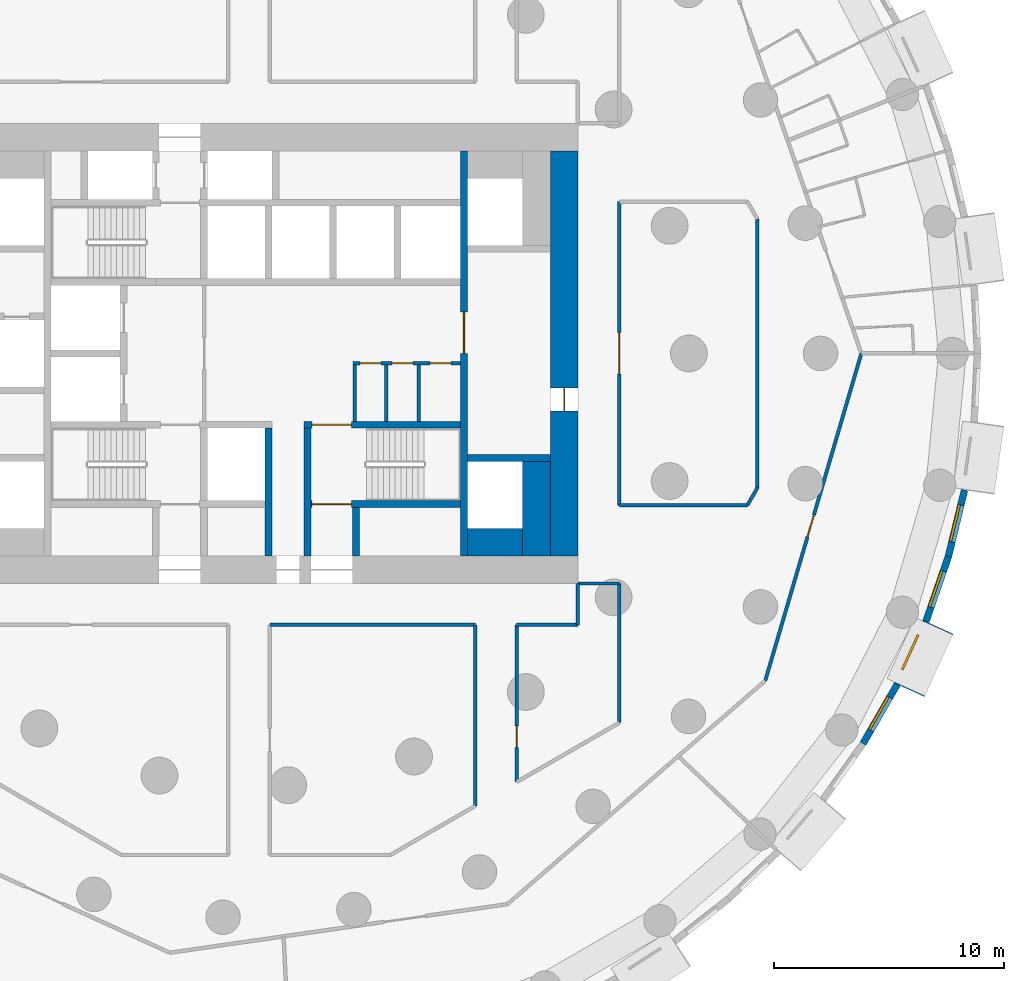
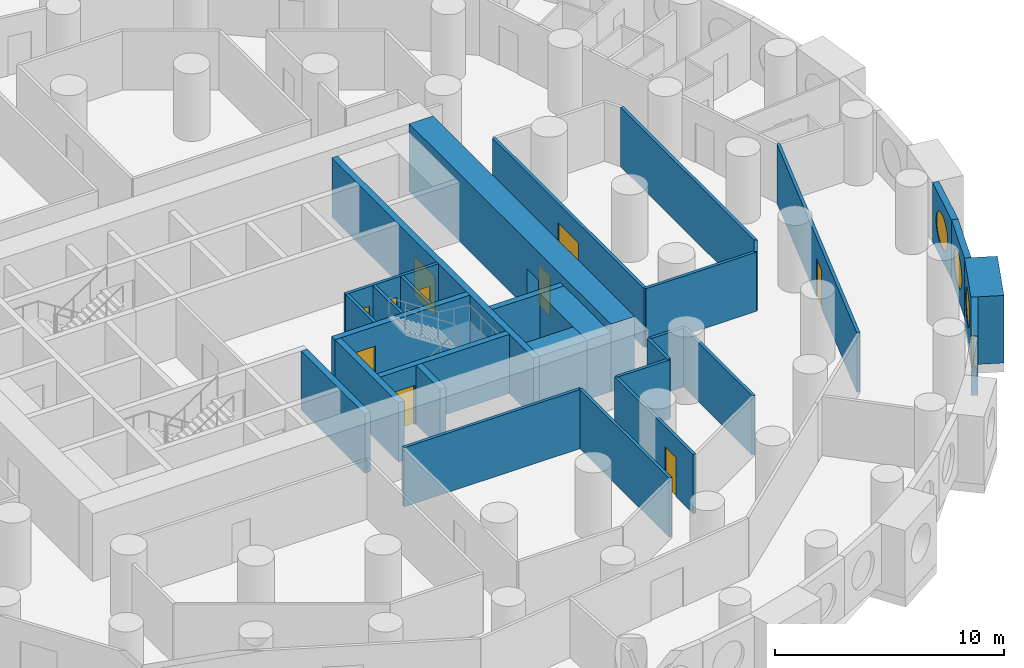
# One storey, part 5 of 12: 30 walls, 10 doors, 4 windows, 14 openings.
"""IFC4 building model written with IfcOpenShell, lengths in metres."""

from ifc_helpers import new_model, si_unit, direction, frame, frame_2d, origin, origin_2d, place, context, subcontext, project, spatial, rectangle, circle, extrude, material, layer, layer_set, type_object, element, fill, save


model = new_model("IFC4")

# Units and contexts
model_context = context("Model", 3, precision=1e-05, world=origin(), true_north=direction((0.0, 1.0)))
body_context = subcontext(model_context, "Body", "Model", "MODEL_VIEW")
ifc_project = project(units=[si_unit("LENGTHUNIT", "METRE"), si_unit("AREAUNIT", "SQUARE_METRE"), si_unit("VOLUMEUNIT", "CUBIC_METRE"), si_unit("PLANEANGLEUNIT", "RADIAN"), si_unit("MASSUNIT", "GRAM", prefix="KILO")], contexts=[model_context])

# Site, building, storey
site_placement = place(None, origin())
site = spatial("IfcSite", under=ifc_project, at=site_placement, CompositionType="ELEMENT")
building_placement = place(site_placement, origin())
building = spatial("IfcBuilding", under=site, at=building_placement, Name="Tracery Tower", CompositionType="ELEMENT")
storey_placement = place(building_placement, frame((0.0, 0.0, 46.199951171875)))
storey = spatial("IfcBuildingStorey", under=building, at=storey_placement, Name="L10", CompositionType="ELEMENT", Elevation=46.199951171875)

# Wall
ifc_material_1 = material(Name="Plasterboard on steel studs", Category="steel")
ifc_layer_1 = layer(ifc_material_1, 0.14990234375)
ifc_layer_set_1 = layer_set([ifc_layer_1], Name="Core room partition 150")
wall_type_1 = type_object("IfcWallType", Name="Core room partition 150", PredefinedType="SOLIDWALL", material=ifc_layer_set_1)
wall_1_placement = place(storey_placement, frame((4.300048828125, -2.949951171875, 0.0), z_axis=(0.0, 0.0, 1.0), x_axis=(0.0, 1.0, 0.0)))
element("IfcWall", 1, at=wall_1_placement, inside=storey, type_object=wall_type_1, Name="L10 slot W", PredefinedType="SOLIDWALL", context=body_context, shape_type="SweptSolid", body=[
    extrude(rectangle(XDim=2.449951171875, YDim=0.14990234375, at=frame_2d((1.22509765625, 0.0))), origin(), (0.0, 0.0, 1.0), 3.150146484375),
])

# Wall, openings, doors
wall_2_placement = place(storey_placement, frame((4.22509765625, -0.425048828125, 0.0), z_axis=(0.0, 0.0, 1.0), x_axis=(1.0, 0.0, 0.0)))
wall_2 = element("IfcWall", 2, at=wall_2_placement, inside=storey, type_object=wall_type_1, Name="L10 slot N", PredefinedType="SOLIDWALL", context=body_context, shape_type="SweptSolid", body=[
    extrude(rectangle(XDim=4.6748046875, YDim=0.14990234375, at=frame_2d((2.33740234375, 0.0))), origin(), (0.0, 0.0, 1.0), 3.150146484375),
])
opening_1_placement = place(wall_2_placement, frame((0.3125, 0.0, 0.0)))
opening_1 = element("IfcOpeningElement", 3, at=opening_1_placement, cuts=wall_2, Name="Opening KD32", PredefinedType="OPENING", context=body_context, shape_type="SweptSolid", body=[
    extrude(rectangle(XDim=0.89990234375, YDim=2.10009765625, at=frame_2d((0.449951171875, 1.050048828125))), frame((0.0, 0.074951171875, 0.0), z_axis=(0.0, -1.0, 0.0), x_axis=(1.0, 0.0, 0.0)), (0.0, 0.0, 1.0), 0.14990234375),
])
opening_2_placement = place(wall_2_placement, frame((1.699951171875, 0.0, 0.0)))
opening_2 = element("IfcOpeningElement", 4, at=opening_2_placement, cuts=wall_2, Name="Opening KD26", PredefinedType="OPENING", context=body_context, shape_type="SweptSolid", body=[
    extrude(rectangle(XDim=0.89990234375, YDim=2.10009765625, at=frame_2d((0.449951171875, 1.050048828125))), frame((0.0, 0.074951171875, 0.0), z_axis=(0.0, -1.0, 0.0), x_axis=(1.0, 0.0, 0.0)), (0.0, 0.0, 1.0), 0.14990234375),
])
opening_3_placement = place(wall_2_placement, frame((3.35009765625, 0.0, 0.0)))
opening_3 = element("IfcOpeningElement", 5, at=opening_3_placement, cuts=wall_2, Name="Opening KD22", PredefinedType="OPENING", context=body_context, shape_type="SweptSolid", body=[
    extrude(rectangle(XDim=0.89990234375, YDim=2.10009765625, at=frame_2d((0.449951171875, 1.050048828125))), frame((0.0, 0.074951171875, 0.0), z_axis=(0.0, -1.0, 0.0), x_axis=(1.0, 0.0, 0.0)), (0.0, 0.0, 1.0), 0.14990234375),
])
ifc_material_2 = material(Name="Timber door leaf", Category="wood")
door_type_1 = type_object("IfcDoorType", Name="Core WC door 900", OperationType="NOTDEFINED", PredefinedType="DOOR", material=ifc_material_2)
door_1_placement = place(opening_3_placement, origin())
door_1 = element("IfcDoor", 6, at=door_1_placement, inside=storey, type_object=door_type_1, Name="Core door", OperationType="SINGLE_SWING_RIGHT", OverallHeight=2.10009765625, OverallWidth=0.89990234375, PredefinedType="DOOR", context=body_context, shape_type="SweptSolid", body=[
    extrude(rectangle(XDim=0.89990234375, YDim=2.10009765625, at=frame_2d((0.449951171875, 1.050048828125))), frame((0.0, 0.02490234375, 0.0), z_axis=(0.0, -1.0, 0.0), x_axis=(1.0, 0.0, 0.0)), (0.0, 0.0, 1.0), 0.050048828125),
])
fill(opening_3, door_1)
ifc_material_3 = material(Name="Steel fire door", Category="steel")
door_type_2 = type_object("IfcDoorType", Name="Core riser door 900", OperationType="NOTDEFINED", PredefinedType="DOOR", material=ifc_material_3)
door_2_placement = place(opening_1_placement, origin())
door_2 = element("IfcDoor", 7, at=door_2_placement, inside=storey, type_object=door_type_2, Name="Core door", OperationType="SINGLE_SWING_RIGHT", OverallHeight=2.10009765625, OverallWidth=0.89990234375, PredefinedType="DOOR", context=body_context, shape_type="SweptSolid", body=[
    extrude(rectangle(XDim=0.89990234375, YDim=2.10009765625, at=frame_2d((0.449951171875, 1.050048828125))), frame((0.0, 0.02490234375, 0.0), z_axis=(0.0, -1.0, 0.0), x_axis=(1.0, 0.0, 0.0)), (0.0, 0.0, 1.0), 0.050048828125),
])
fill(opening_1, door_2)
ifc_material_4 = material(Name="Timber door leaf", Category="wood")
door_type_3 = type_object("IfcDoorType", Name="Core store door 900", OperationType="NOTDEFINED", PredefinedType="DOOR", material=ifc_material_4)
door_3_placement = place(opening_2_placement, origin())
door_3 = element("IfcDoor", 8, at=door_3_placement, inside=storey, type_object=door_type_3, Name="Core door", OperationType="SINGLE_SWING_LEFT", OverallHeight=2.10009765625, OverallWidth=0.89990234375, PredefinedType="DOOR", context=body_context, shape_type="SweptSolid", body=[
    extrude(rectangle(XDim=0.89990234375, YDim=2.10009765625, at=frame_2d((0.449951171875, 1.050048828125))), frame((0.0, 0.02490234375, 0.0), z_axis=(0.0, -1.0, 0.0), x_axis=(1.0, 0.0, 0.0)), (0.0, 0.0, 1.0), 0.050048828125),
])
fill(opening_2, door_3)

# Walls
for number, where, z_axis, x_axis, name in (
    (9, (5.675048828125, -2.949951171875, 0.0), (0.0, 0.0, 1.0), (0.0, 1.0, 0.0), "L10 slot sep 1"),
    (10, (7.074951171875, -2.949951171875, 0.0), (0.0, 0.0, 1.0), (0.0, 1.0, 0.0), "L10 slot sep 2"),
):
    element("IfcWall", number, at=place(storey_placement, frame(where, z_axis=z_axis, x_axis=x_axis)), inside=storey, type_object=wall_type_1, Name=name, PredefinedType="SOLIDWALL", context=body_context, shape_type="SweptSolid", body=[
        extrude(rectangle(XDim=2.449951171875, YDim=0.14990234375, at=frame_2d((1.22509765625, 0.0))), origin(), (0.0, 0.0, 1.0), 3.150146484375),
    ])
ifc_material_5 = material(Name="Concrete C60/75", Category="concrete")
ifc_layer_2 = layer(ifc_material_5, 1.199951171875)
ifc_layer_set_2 = layer_set([ifc_layer_2], Name="Core strip wall 1200 C60")
wall_type_2 = type_object("IfcWallType", Name="Core strip wall 1200 C60", PredefinedType="SOLIDWALL", material=ifc_layer_set_2)
wall_3_placement = place(storey_placement, frame((12.199951171875, -8.800048828125, 0.0), z_axis=(0.0, 0.0, 1.0), x_axis=(0.0, 1.0, 0.0)))
element("IfcWall", 11, at=wall_3_placement, inside=storey, type_object=wall_type_2, Name="L10 wing strip +1 -9.4", PredefinedType="SOLIDWALL", context=body_context, shape_type="SweptSolid", body=[
    extrude(rectangle(XDim=4.10009765625, YDim=1.199951171875, at=frame_2d((2.050048828125, 0.0))), origin(), (0.0, 0.0, 1.0), 3.150146484375),
])
wall_4_placement = place(storey_placement, frame((9.199951171875, -8.199951171875, 0.0), z_axis=(0.0, 0.0, 1.0), x_axis=(1.0, 0.0, 0.0)))
element("IfcWall", 12, at=wall_4_placement, inside=storey, type_object=wall_type_2, Name="L10 wing corner +1 -8.2", PredefinedType="SOLIDWALL", context=body_context, shape_type="SweptSolid", body=[
    extrude(rectangle(XDim=2.400146484375, YDim=1.199951171875, at=frame_2d((1.2001953125, 0.0))), origin(), (0.0, 0.0, 1.0), 3.150146484375),
])

# Wall, opening, door
ifc_material_6 = material(Name="Concrete C60/75", Category="concrete")
ifc_layer_3 = layer(ifc_material_6, 1.199951171875)
ifc_layer_set_3 = layer_set([ifc_layer_3], Name="Core wall 1200 C60")
wall_type_3 = type_object("IfcWallType", Name="Core wall 1200 C60", PredefinedType="SOLIDWALL", material=ifc_layer_set_3)
wall_5_placement = place(storey_placement, frame((13.39990234375, -8.800048828125, 0.0), z_axis=(0.0, 0.0, 1.0), x_axis=(0.0, 1.0, 0.0)))
wall_5 = element("IfcWall", 13, at=wall_5_placement, inside=storey, type_object=wall_type_3, Name="L10 outer E", PredefinedType="SOLIDWALL", context=body_context, shape_type="SweptSolid", body=[
    extrude(rectangle(XDim=17.60009765625, YDim=1.199951171875, at=frame_2d((8.800048828125, 0.0))), origin(), (0.0, 0.0, 1.0), 3.60009765625),
])
opening_4_placement = place(wall_5_placement, frame((6.300048828125, 0.0, 0.0)))
opening_4 = element("IfcOpeningElement", 14, at=opening_4_placement, cuts=wall_5, Name="Opening KD18", PredefinedType="OPENING", context=body_context, shape_type="SweptSolid", body=[
    extrude(rectangle(XDim=1.0, YDim=2.10009765625, at=frame_2d((0.5, 1.050048828125))), frame((0.0, 0.60009765625, 0.0), z_axis=(0.0, -1.0, 0.0), x_axis=(1.0, 0.0, 0.0)), (0.0, 0.0, 1.0), 1.199951171875),
])
ifc_material_7 = material(Name="Steel fire door", Category="steel")
door_type_4 = type_object("IfcDoorType", Name="Core exit door 1000", OperationType="NOTDEFINED", PredefinedType="DOOR", material=ifc_material_7)
door_4_placement = place(opening_4_placement, origin())
door_4 = element("IfcDoor", 15, at=door_4_placement, inside=storey, type_object=door_type_4, Name="Core exit door", OperationType="DOUBLE_DOOR_SINGLE_SWING", OverallHeight=2.10009765625, OverallWidth=1.0, PredefinedType="DOOR", context=body_context, shape_type="SweptSolid", body=[
    extrude(rectangle(XDim=1.0, YDim=2.10009765625, at=frame_2d((0.5, 1.050048828125))), frame((0.0, 0.02490234375, 0.0), z_axis=(0.0, -1.0, 0.0), x_axis=(1.0, 0.0, 0.0)), (0.0, 0.0, 1.0), 0.050048828125),
])
fill(opening_4, door_4)

# Wall, opening, window
ifc_material_8 = material(Name="Precast concrete C50/60", Category="concrete")
ifc_layer_4 = layer(ifc_material_8, 1.449951171875)
ifc_layer_set_4 = layer_set([ifc_layer_4], Name="Deep-set bay unit 3000 x 3600, slab edge 450")
wall_type_4 = type_object("IfcWallType", Name="Deep-set bay unit 3000 x 3600, slab edge 450", PredefinedType="ELEMENTEDWALL", material=ifc_layer_set_4)
wall_6_placement = place(storey_placement, frame((28.40673828125, -14.6220703125, -0.449951171875), z_axis=(0.0, 0.0, 1.0), x_axis=(0.415427028395, 0.909626508012, 0.0)))
wall_6 = element("IfcWall", 16, at=wall_6_placement, inside=storey, type_object=wall_type_4, Name="Deep-set bay unit 62 at L10", PredefinedType="ELEMENTEDWALL", context=body_context, shape_type="SweptSolid", body=[
    extrude(rectangle(XDim=3.000244140625, YDim=1.449951171875, at=frame_2d((1.5, 0.0))), origin(), (0.0, 0.0, 1.0), 3.60009765625),
])
opening_5_placement = place(wall_6_placement, frame((1.5, 0.0, 2.0)))
opening_5 = element("IfcOpeningElement", 17, at=opening_5_placement, cuts=wall_6, Name="Opening WN1", PredefinedType="OPENING", context=body_context, shape_type="SweptSolid", body=[
    extrude(circle(Radius=0.9000244140625, at=origin_2d()), frame((0.0, 0.73486328125, 0.0), z_axis=(0.0, -1.0, 0.0), x_axis=(1.0, 0.0, 0.0)), (0.0, 0.0, 1.0), 1.469970703125),
])
ifc_material_9 = material(Name="Aluminium frame with tinted double glazing", Category="aluminium")
window_type = type_object("IfcWindowType", Name="Round window 1800", PartitioningType="SINGLE_PANEL", PredefinedType="WINDOW", material=ifc_material_9)
window_1_placement = place(opening_5_placement, origin())
window_1 = element("IfcWindow", 18, at=window_1_placement, inside=storey, type_object=window_type, Name="Round window 62 at L10", OverallHeight=1.800048828125, OverallWidth=1.800048828125, PartitioningType="SINGLE_PANEL", PredefinedType="WINDOW", context=body_context, shape_type="SweptSolid", body=[
    extrude(circle(Radius=0.9000244140625, at=origin_2d()), frame((0.0, 0.69482421875, 0.0), z_axis=(0.0, -1.0, 0.0), x_axis=(1.0, 0.0, 0.0)), (0.0, 0.0, 1.0), 0.10009765625),
])
fill(opening_5, window_1)

ifc_material_10 = material(Name="Precast concrete C50/60", Category="concrete")
ifc_layer_5 = layer(ifc_material_10, 0.300048828125)
ifc_layer_set_5 = layer_set([ifc_layer_5], Name="Facade panel 3000 x 3150")
wall_type_5 = type_object("IfcWallType", Name="Facade panel 3000 x 3150", PredefinedType="SOLIDWALL", material=ifc_layer_set_5)
wall_7_placement = place(storey_placement, frame((26.393798828125, -16.96240234375, 0.0), z_axis=(0.0, 0.0, 1.0), x_axis=(0.500025049464, 0.866010940986, 0.0)))
wall_7 = element("IfcWall", 19, at=wall_7_placement, inside=storey, type_object=wall_type_5, Name="Facade panel 61 at L10", PredefinedType="SOLIDWALL", context=body_context, shape_type="SweptSolid", body=[
    extrude(rectangle(XDim=2.979736328125, YDim=0.300048828125, at=frame_2d((1.48974609375, 0.0))), origin(), (0.0, 0.0, 1.0), 3.150146484375),
])
opening_6_placement = place(wall_7_placement, frame((1.48974609375, 0.0, 1.5498046875)))
opening_6 = element("IfcOpeningElement", 20, at=opening_6_placement, cuts=wall_7, Name="Opening WN1", PredefinedType="OPENING", context=body_context, shape_type="SweptSolid", body=[
    extrude(circle(Radius=0.9000244140625, at=origin_2d()), frame((0.0, 0.159912109375, 0.0), z_axis=(0.0, -1.0, 0.0), x_axis=(1.0, 0.0, 0.0)), (0.0, 0.0, 1.0), 0.320068359375),
])
window_2_placement = place(opening_6_placement, origin())
window_2 = element("IfcWindow", 21, at=window_2_placement, inside=storey, type_object=window_type, Name="Round window 61 at L10", OverallHeight=1.800048828125, OverallWidth=1.800048828125, PartitioningType="SINGLE_PANEL", PredefinedType="WINDOW", context=body_context, shape_type="SweptSolid", body=[
    extrude(circle(Radius=0.9000244140625, at=origin_2d()), frame((0.0, 0.1201171875, 0.0), z_axis=(0.0, -1.0, 0.0), x_axis=(1.0, 0.0, 0.0)), (0.0, 0.0, 1.0), 0.10009765625),
])
fill(opening_6, window_2)

wall_8_placement = place(storey_placement, frame((29.12890625, -11.655029296875, 0.0), z_axis=(0.0, 0.0, 1.0), x_axis=(0.327071167136, 0.944999709856, 0.0)))
wall_8 = element("IfcWall", 22, at=wall_8_placement, inside=storey, type_object=wall_type_5, Name="Facade panel 63 at L10", PredefinedType="SOLIDWALL", context=body_context, shape_type="SweptSolid", body=[
    extrude(rectangle(XDim=2.979736328125, YDim=0.300048828125, at=frame_2d((1.48974609375, 0.0))), origin(), (0.0, 0.0, 1.0), 3.150146484375),
])
opening_7_placement = place(wall_8_placement, frame((1.48974609375, 0.0, 1.5498046875)))
opening_7 = element("IfcOpeningElement", 23, at=opening_7_placement, cuts=wall_8, Name="Opening WN1", PredefinedType="OPENING", context=body_context, shape_type="SweptSolid", body=[
    extrude(circle(Radius=0.9000244140625, at=origin_2d()), frame((0.0, 0.159912109375, 0.0), z_axis=(0.0, -1.0, 0.0), x_axis=(1.0, 0.0, 0.0)), (0.0, 0.0, 1.0), 0.320068359375),
])
window_3_placement = place(opening_7_placement, origin())
window_3 = element("IfcWindow", 24, at=window_3_placement, inside=storey, type_object=window_type, Name="Round window 63 at L10", OverallHeight=1.800048828125, OverallWidth=1.800048828125, PartitioningType="SINGLE_PANEL", PredefinedType="WINDOW", context=body_context, shape_type="SweptSolid", body=[
    extrude(circle(Radius=0.9000244140625, at=origin_2d()), frame((0.0, 0.1201171875, 0.0), z_axis=(0.0, -1.0, 0.0), x_axis=(1.0, 0.0, 0.0)), (0.0, 0.0, 1.0), 0.10009765625),
])
fill(opening_7, window_3)

wall_9_placement = place(storey_placement, frame((30.103515625, -8.839111328125, 0.0), z_axis=(0.0, 0.0, 1.0), x_axis=(0.235743081534, 0.971815414319, 0.0)))
wall_9 = element("IfcWall", 25, at=wall_9_placement, inside=storey, type_object=wall_type_5, Name="Facade panel 64 at L10", PredefinedType="SOLIDWALL", context=body_context, shape_type="SweptSolid", body=[
    extrude(rectangle(XDim=2.9794921875, YDim=0.300048828125, at=frame_2d((1.48974609375, 0.0))), origin(), (0.0, 0.0, 1.0), 3.150146484375),
])
opening_8_placement = place(wall_9_placement, frame((1.48974609375, 0.0, 1.5498046875)))
opening_8 = element("IfcOpeningElement", 26, at=opening_8_placement, cuts=wall_9, Name="Opening WN1", PredefinedType="OPENING", context=body_context, shape_type="SweptSolid", body=[
    extrude(circle(Radius=0.9000244140625, at=origin_2d()), frame((0.0, 0.159912109375, 0.0), z_axis=(0.0, -1.0, 0.0), x_axis=(1.0, 0.0, 0.0)), (0.0, 0.0, 1.0), 0.320068359375),
])
window_4_placement = place(opening_8_placement, origin())
window_4 = element("IfcWindow", 27, at=window_4_placement, inside=storey, type_object=window_type, Name="Round window 64 at L10", OverallHeight=1.800048828125, OverallWidth=1.800048828125, PartitioningType="SINGLE_PANEL", PredefinedType="WINDOW", context=body_context, shape_type="SweptSolid", body=[
    extrude(circle(Radius=0.9000244140625, at=origin_2d()), frame((0.0, 0.1201171875, 0.0), z_axis=(0.0, -1.0, 0.0), x_axis=(1.0, 0.0, 0.0)), (0.0, 0.0, 1.0), 0.10009765625),
])
fill(opening_8, window_4)

# Walls
ifc_material_11 = material(Name="Plasterboard on steel studs", Category="steel")
ifc_layer_6 = layer(ifc_material_11, 0.14990234375)
ifc_layer_set_6 = layer_set([ifc_layer_6], Name="Partition 150 corridor wall")
wall_type_6 = type_object("IfcWallType", Name="Partition 150 corridor wall", PredefinedType="PARTITIONING", material=ifc_layer_set_6)
wall_10_placement = place(storey_placement, frame((0.60400390625, -11.800048828125, 0.0), z_axis=(0.0, 0.0, 1.0), x_axis=(1.0, 0.0, 0.0)))
element("IfcWall", 28, at=wall_10_placement, inside=storey, type_object=wall_type_6, Name="Corridor wall RA2-006", PredefinedType="PARTITIONING", context=body_context, shape_type="SweptSolid", body=[
    extrude(rectangle(XDim=8.93603515625, YDim=0.14990234375, at=frame_2d((4.468017578125, 0.0))), origin(), (0.0, 0.0, 1.0), 3.150146484375),
])
wall_11_placement = place(storey_placement, frame((14.0, -11.800048828125, 0.0), z_axis=(0.0, 0.0, 1.0), x_axis=(0.0, 1.0, 0.0)))
element("IfcWall", 29, at=wall_11_placement, inside=storey, type_object=wall_type_6, Name="Corridor wall RA2-007", PredefinedType="PARTITIONING", context=body_context, shape_type="SweptSolid", body=[
    extrude(rectangle(XDim=1.800048828125, YDim=0.14990234375, at=frame_2d((0.89990234375, 0.0))), origin(), (0.0, 0.0, 1.0), 3.150146484375),
])
wall_12_placement = place(storey_placement, frame((11.33203125, -11.800048828125, 0.0), z_axis=(0.0, 0.0, 1.0), x_axis=(1.0, 0.0, 0.0)))
element("IfcWall", 30, at=wall_12_placement, inside=storey, type_object=wall_type_6, Name="Corridor wall RA2-008", PredefinedType="PARTITIONING", context=body_context, shape_type="SweptSolid", body=[
    extrude(rectangle(XDim=2.66796875, YDim=0.14990234375, at=frame_2d((1.333984375, 0.0))), origin(), (0.0, 0.0, 1.0), 3.150146484375),
])
wall_13_placement = place(storey_placement, frame((14.0, -10.0, 0.0), z_axis=(0.0, 0.0, 1.0), x_axis=(1.0, 0.0, 0.0)))
element("IfcWall", 31, at=wall_13_placement, inside=storey, type_object=wall_type_6, Name="Corridor wall RA2-010", PredefinedType="PARTITIONING", context=body_context, shape_type="SweptSolid", body=[
    extrude(rectangle(XDim=1.800048828125, YDim=0.14990234375, at=frame_2d((0.89990234375, 0.0))), origin(), (0.0, 0.0, 1.0), 3.150146484375),
])

# Wall, opening, door
wall_14_placement = place(storey_placement, frame((15.800048828125, -6.60400390625, 0.0), z_axis=(0.0, 0.0, 1.0), x_axis=(0.0, 1.0, 0.0)))
wall_14 = element("IfcWall", 32, at=wall_14_placement, inside=storey, type_object=wall_type_6, Name="Corridor wall RA2-011", PredefinedType="PARTITIONING", context=body_context, shape_type="SweptSolid", body=[
    extrude(rectangle(XDim=13.2080078125, YDim=0.14990234375, at=frame_2d((6.60400390625, 0.0))), origin(), (0.0, 0.0, 1.0), 3.150146484375),
])
opening_9_placement = place(wall_14_placement, frame((5.7041015625, 0.0, 0.0)))
opening_9 = element("IfcOpeningElement", 33, at=opening_9_placement, cuts=wall_14, Name="Opening RA2-07", PredefinedType="OPENING", context=body_context, shape_type="SweptSolid", body=[
    extrude(rectangle(XDim=1.800048828125, YDim=2.10009765625, at=frame_2d((0.89990234375, 1.050048828125))), frame((0.0, 0.074951171875, 0.0), z_axis=(0.0, -1.0, 0.0), x_axis=(1.0, 0.0, 0.0)), (0.0, 0.0, 1.0), 0.14990234375),
])
ifc_material_12 = material(Name="Timber door leaf", Category="wood")
door_type_5 = type_object("IfcDoorType", Name="Door double lounge 1800", OperationType="NOTDEFINED", PredefinedType="DOOR", material=ifc_material_12)
door_5_placement = place(opening_9_placement, origin())
door_5 = element("IfcDoor", 34, at=door_5_placement, inside=storey, type_object=door_type_5, Name="Double lounge door RA2-07", OperationType="DOUBLE_DOOR_SINGLE_SWING", OverallHeight=2.10009765625, OverallWidth=1.800048828125, PredefinedType="DOOR", context=body_context, shape_type="SweptSolid", body=[
    extrude(rectangle(XDim=1.800048828125, YDim=2.10009765625, at=frame_2d((0.89990234375, 1.050048828125))), frame((0.0, 0.02490234375, 0.0), z_axis=(0.0, -1.0, 0.0), x_axis=(1.0, 0.0, 0.0)), (0.0, 0.0, 1.0), 0.050048828125),
])
fill(opening_9, door_5)

# Walls
wall_15_placement = place(storey_placement, frame((15.800048828125, -16.052978515625, 0.0), z_axis=(0.0, 0.0, 1.0), x_axis=(0.0, 1.0, 0.0)))
element("IfcWall", 35, at=wall_15_placement, inside=storey, type_object=wall_type_6, Name="Corridor wall RA2-014", PredefinedType="PARTITIONING", context=body_context, shape_type="SweptSolid", body=[
    extrude(rectangle(XDim=6.056884765625, YDim=0.14990234375, at=frame_2d((3.0283203125, 0.0))), origin(), (0.0, 0.0, 1.0), 3.150146484375),
])
wall_16_placement = place(storey_placement, frame((15.800048828125, -6.60009765625, 0.0), z_axis=(0.0, 0.0, 1.0), x_axis=(1.0, 0.0, 0.0)))
element("IfcWall", 36, at=wall_16_placement, inside=storey, type_object=wall_type_6, Name="Corridor wall RA2-015", PredefinedType="PARTITIONING", context=body_context, shape_type="SweptSolid", body=[
    extrude(rectangle(XDim=5.56396484375, YDim=0.14990234375, at=frame_2d((2.781982421875, 0.0))), origin(), (0.0, 0.0, 1.0), 3.150146484375),
])
wall_17_placement = place(storey_placement, frame((21.364013671875, -6.60009765625, 0.0), z_axis=(0.0, 0.0, 1.0), x_axis=(0.500277597875, 0.865865073245, 0.0)))
element("IfcWall", 37, at=wall_17_placement, inside=storey, type_object=wall_type_6, Name="Corridor wall RA2-016", PredefinedType="PARTITIONING", context=body_context, shape_type="SweptSolid", body=[
    extrude(rectangle(XDim=0.87548828125, YDim=0.14990234375, at=frame_2d((0.437744140625, 0.0))), origin(), (0.0, 0.0, 1.0), 3.150146484375),
])
wall_18_placement = place(storey_placement, frame((21.802001953125, -5.842041015625, 0.0), z_axis=(0.0, 0.0, 1.0), x_axis=(0.0, 1.0, 0.0)))
element("IfcWall", 38, at=wall_18_placement, inside=storey, type_object=wall_type_6, Name="Corridor wall RA2-017", PredefinedType="PARTITIONING", context=body_context, shape_type="SweptSolid", body=[
    extrude(rectangle(XDim=11.68408203125, YDim=0.14990234375, at=frame_2d((5.842041015625, 0.0))), origin(), (0.0, 0.0, 1.0), 3.150146484375),
])

# Wall, opening, door
wall_19_placement = place(storey_placement, frame((22.14111328125, -14.22900390625, 0.0), z_axis=(0.0, 0.0, 1.0), x_axis=(0.281730446162, 0.959493593363, 0.0)))
wall_19 = element("IfcWall", 39, at=wall_19_placement, inside=storey, type_object=wall_type_6, Name="Corridor wall RA2-023", PredefinedType="PARTITIONING", context=body_context, shape_type="SweptSolid", body=[
    extrude(rectangle(XDim=14.82958984375, YDim=0.14990234375, at=frame_2d((7.414794921875, 0.0))), origin(), (0.0, 0.0, 1.0), 3.150146484375),
])
opening_10_placement = place(wall_19_placement, frame((6.5146484375, 0.0, 0.0)))
opening_10 = element("IfcOpeningElement", 40, at=opening_10_placement, cuts=wall_19, Name="Opening RA2-50", PredefinedType="OPENING", context=body_context, shape_type="SweptSolid", body=[
    extrude(rectangle(XDim=1.0, YDim=2.0400390625, at=frame_2d((0.5, 1.02001953125))), frame((0.0, 0.074951171875, 0.0), z_axis=(0.0, -1.0, 0.0), x_axis=(1.0, 0.0, 0.0)), (0.0, 0.0, 1.0), 0.14990234375),
])
ifc_material_13 = material(Name="Timber door leaf", Category="wood")
door_type_6 = type_object("IfcDoorType", Name="Door communal room 1000", OperationType="NOTDEFINED", PredefinedType="DOOR", material=ifc_material_13)
door_6_placement = place(opening_10_placement, origin())
door_6 = element("IfcDoor", 41, at=door_6_placement, inside=storey, type_object=door_type_6, Name="Communal room door RA2-50", OperationType="SINGLE_SWING_RIGHT", OverallHeight=2.0400390625, OverallWidth=1.0, PredefinedType="DOOR", context=body_context, shape_type="SweptSolid", body=[
    extrude(rectangle(XDim=1.0, YDim=2.0400390625, at=frame_2d((0.5, 1.02001953125))), frame((0.0, 0.02490234375, 0.0), z_axis=(0.0, -1.0, 0.0), x_axis=(1.0, 0.0, 0.0)), (0.0, 0.0, 1.0), 0.050048828125),
])
fill(opening_10, door_6)

# Wall
wall_20_placement = place(storey_placement, frame((9.535888671875, -19.6689453125, 0.0), z_axis=(0.0, 0.0, 1.0), x_axis=(0.0, 1.0, 0.0)))
element("IfcWall", 42, at=wall_20_placement, inside=storey, type_object=wall_type_6, Name="Corridor wall RA2-052", PredefinedType="PARTITIONING", context=body_context, shape_type="SweptSolid", body=[
    extrude(rectangle(XDim=7.868896484375, YDim=0.14990234375, at=frame_2d((3.9345703125, 0.0))), origin(), (0.0, 0.0, 1.0), 3.150146484375),
])

# Wall, opening, door
wall_21_placement = place(storey_placement, frame((11.3359375, -18.6298828125, 0.0), z_axis=(0.0, 0.0, 1.0), x_axis=(0.0, 1.0, 0.0)))
wall_21 = element("IfcWall", 43, at=wall_21_placement, inside=storey, type_object=wall_type_6, Name="Corridor wall RA2-053", PredefinedType="PARTITIONING", context=body_context, shape_type="SweptSolid", body=[
    extrude(rectangle(XDim=6.829833984375, YDim=0.14990234375, at=frame_2d((3.4150390625, 0.0))), origin(), (0.0, 0.0, 1.0), 3.150146484375),
])
opening_11_placement = place(wall_21_placement, frame((1.489990234375, 0.0, 0.0)))
opening_11 = element("IfcOpeningElement", 44, at=opening_11_placement, cuts=wall_21, Name="Opening RA2-06", PredefinedType="OPENING", context=body_context, shape_type="SweptSolid", body=[
    extrude(rectangle(XDim=0.949951171875, YDim=2.10009765625, at=frame_2d((0.47509765625, 1.050048828125))), frame((0.0, 0.074951171875, 0.0), z_axis=(0.0, -1.0, 0.0), x_axis=(1.0, 0.0, 0.0)), (0.0, 0.0, 1.0), 0.14990234375),
])
ifc_material_14 = material(Name="Timber door leaf", Category="wood")
door_type_7 = type_object("IfcDoorType", Name="Door store 950", OperationType="NOTDEFINED", PredefinedType="DOOR", material=ifc_material_14)
door_7_placement = place(opening_11_placement, origin())
door_7 = element("IfcDoor", 45, at=door_7_placement, inside=storey, type_object=door_type_7, Name="Store door RA2-06", OperationType="SINGLE_SWING_RIGHT", OverallHeight=2.10009765625, OverallWidth=0.949951171875, PredefinedType="DOOR", context=body_context, shape_type="SweptSolid", body=[
    extrude(rectangle(XDim=0.949951171875, YDim=2.10009765625, at=frame_2d((0.47509765625, 1.050048828125))), frame((0.0, 0.02490234375, 0.0), z_axis=(0.0, -1.0, 0.0), x_axis=(1.0, 0.0, 0.0)), (0.0, 0.0, 1.0), 0.050048828125),
])
fill(opening_11, door_7)

# Walls
ifc_material_15 = material(Name="Concrete C60/75", Category="concrete")
ifc_layer_7 = layer(ifc_material_15, 0.300048828125)
ifc_layer_set_7 = layer_set([ifc_layer_7], Name="Shaft wall 300 C60")
wall_type_7 = type_object("IfcWallType", Name="Shaft wall 300 C60", PredefinedType="SOLIDWALL", material=ifc_layer_set_7)
wall_22_placement = place(storey_placement, frame((0.550048828125, -8.800048828125, 0.0), z_axis=(0.0, 0.0, 1.0), x_axis=(0.0, 1.0, 0.0)))
element("IfcWall", 46, at=wall_22_placement, inside=storey, type_object=wall_type_7, Name="L10 OB2 E", PredefinedType="SOLIDWALL", context=body_context, shape_type="SweptSolid", body=[
    extrude(rectangle(XDim=5.550048828125, YDim=0.300048828125, at=frame_2d((2.77490234375, 0.0))), origin(), (0.0, 0.0, 1.0), 3.150146484375),
])
wall_23_placement = place(storey_placement, frame((4.35009765625, -8.800048828125, 0.0), z_axis=(0.0, 0.0, 1.0), x_axis=(0.0, 1.0, 0.0)))
element("IfcWall", 47, at=wall_23_placement, inside=storey, type_object=wall_type_7, Name="L10 band S +4.35", PredefinedType="SOLIDWALL", context=body_context, shape_type="SweptSolid", body=[
    extrude(rectangle(XDim=2.10009765625, YDim=0.300048828125, at=frame_2d((1.050048828125, 0.0))), origin(), (0.0, 0.0, 1.0), 3.150146484375),
])
wall_24_placement = place(storey_placement, frame((9.199951171875, -4.550048828125, 0.0), z_axis=(0.0, 0.0, 1.0), x_axis=(1.0, 0.0, 0.0)))
element("IfcWall", 48, at=wall_24_placement, inside=storey, type_object=wall_type_7, Name="L10 wing shaft wall +1 -4.55", PredefinedType="SOLIDWALL", context=body_context, shape_type="SweptSolid", body=[
    extrude(rectangle(XDim=3.60009765625, YDim=0.300048828125, at=frame_2d((1.800048828125, 0.0))), origin(), (0.0, 0.0, 1.0), 3.150146484375),
])

# Wall, opening, door
ifc_material_16 = material(Name="Concrete C60/75", Category="concrete")
ifc_layer_8 = layer(ifc_material_16, 0.300048828125)
ifc_layer_set_8 = layer_set([ifc_layer_8], Name="Stair wall 300 C60")
wall_type_8 = type_object("IfcWallType", Name="Stair wall 300 C60", PredefinedType="SOLIDWALL", material=ifc_layer_set_8)
wall_25_placement = place(storey_placement, frame((2.10009765625, -3.10009765625, 0.0), z_axis=(0.0, 0.0, 1.0), x_axis=(1.0, 0.0, 0.0)))
wall_25 = element("IfcWall", 49, at=wall_25_placement, inside=storey, type_object=wall_type_8, Name="L10 row S E", PredefinedType="SOLIDWALL", context=body_context, shape_type="SweptSolid", body=[
    extrude(rectangle(XDim=6.7998046875, YDim=0.300048828125, at=frame_2d((3.39990234375, 0.0))), origin(), (0.0, 0.0, 1.0), 3.150146484375),
])
opening_12_placement = place(wall_25_placement, frame((0.35009765625, 0.0, 0.0)))
opening_12 = element("IfcOpeningElement", 50, at=opening_12_placement, cuts=wall_25, Name="Opening KD3", PredefinedType="OPENING", context=body_context, shape_type="SweptSolid", body=[
    extrude(rectangle(XDim=1.699951171875, YDim=2.10009765625, at=frame_2d((0.85009765625, 1.050048828125))), frame((0.0, 0.14990234375, 0.0), z_axis=(0.0, -1.0, 0.0), x_axis=(1.0, 0.0, 0.0)), (0.0, 0.0, 1.0), 0.300048828125),
])
ifc_material_17 = material(Name="Steel fire door", Category="steel")
door_type_8 = type_object("IfcDoorType", Name="Core stair door 1700 double", OperationType="NOTDEFINED", PredefinedType="DOOR", material=ifc_material_17)
door_8_placement = place(opening_12_placement, origin())
door_8 = element("IfcDoor", 51, at=door_8_placement, inside=storey, type_object=door_type_8, Name="Stair door ST2", OperationType="DOUBLE_DOOR_SINGLE_SWING", OverallHeight=2.10009765625, OverallWidth=1.699951171875, PredefinedType="DOOR", context=body_context, shape_type="SweptSolid", body=[
    extrude(rectangle(XDim=1.699951171875, YDim=2.10009765625, at=frame_2d((0.85009765625, 1.050048828125))), frame((0.0, 0.02490234375, 0.0), z_axis=(0.0, -1.0, 0.0), x_axis=(1.0, 0.0, 0.0)), (0.0, 0.0, 1.0), 0.050048828125),
])
fill(opening_12, door_8)

# Wall
wall_26_placement = place(storey_placement, frame((2.25, -8.800048828125, 0.0), z_axis=(0.0, 0.0, 1.0), x_axis=(0.0, 1.0, 0.0)))
element("IfcWall", 52, at=wall_26_placement, inside=storey, type_object=wall_type_8, Name="L10 ST2 W", PredefinedType="SOLIDWALL", context=body_context, shape_type="SweptSolid", body=[
    extrude(rectangle(XDim=5.550048828125, YDim=0.300048828125, at=frame_2d((2.77490234375, 0.0))), origin(), (0.0, 0.0, 1.0), 3.150146484375),
])

# Wall, opening, door
wall_27_placement = place(storey_placement, frame((9.050048828125, -8.800048828125, 0.0), z_axis=(0.0, 0.0, 1.0), x_axis=(0.0, 1.0, 0.0)))
wall_27 = element("IfcWall", 53, at=wall_27_placement, inside=storey, type_object=wall_type_8, Name="L10 F wall +9", PredefinedType="SOLIDWALL", context=body_context, shape_type="SweptSolid", body=[
    extrude(rectangle(XDim=17.60009765625, YDim=0.300048828125, at=frame_2d((8.800048828125, 0.0))), origin(), (0.0, 0.0, 1.0), 3.150146484375),
])
opening_13_placement = place(wall_27_placement, frame((8.800048828125, 0.0, 0.0)))
opening_13 = element("IfcOpeningElement", 54, at=opening_13_placement, cuts=wall_27, Name="Opening KD13", PredefinedType="OPENING", context=body_context, shape_type="SweptSolid", body=[
    extrude(rectangle(XDim=1.800048828125, YDim=2.10009765625, at=frame_2d((0.89990234375, 1.050048828125))), frame((0.0, 0.14990234375, 0.0), z_axis=(0.0, -1.0, 0.0), x_axis=(1.0, 0.0, 0.0)), (0.0, 0.0, 1.0), 0.300048828125),
])
ifc_material_18 = material(Name="Steel fire door", Category="steel")
door_type_9 = type_object("IfcDoorType", Name="Core exit door 1800 double", OperationType="NOTDEFINED", PredefinedType="DOOR", material=ifc_material_18)
door_9_placement = place(opening_13_placement, origin())
door_9 = element("IfcDoor", 55, at=door_9_placement, inside=storey, type_object=door_type_9, Name="Core exit door", OperationType="DOUBLE_DOOR_SINGLE_SWING", OverallHeight=2.10009765625, OverallWidth=1.800048828125, PredefinedType="DOOR", context=body_context, shape_type="SweptSolid", body=[
    extrude(rectangle(XDim=1.800048828125, YDim=2.10009765625, at=frame_2d((0.89990234375, 1.050048828125))), frame((0.0, 0.02490234375, 0.0), z_axis=(0.0, -1.0, 0.0), x_axis=(1.0, 0.0, 0.0)), (0.0, 0.0, 1.0), 0.050048828125),
])
fill(opening_13, door_9)

wall_28_placement = place(storey_placement, frame((2.39990234375, -6.550048828125, 0.0), z_axis=(0.0, 0.0, 1.0), x_axis=(1.0, 0.0, 0.0)))
wall_28 = element("IfcWall", 56, at=wall_28_placement, inside=storey, type_object=wall_type_8, Name="L10 F S E", PredefinedType="SOLIDWALL", context=body_context, shape_type="SweptSolid", body=[
    extrude(rectangle(XDim=6.5, YDim=0.300048828125, at=frame_2d((3.25, 0.0))), origin(), (0.0, 0.0, 1.0), 3.150146484375),
])
opening_14_placement = place(wall_28_placement, frame((0.050048828125, 0.0, 0.0)))
opening_14 = element("IfcOpeningElement", 57, at=opening_14_placement, cuts=wall_28, Name="Opening KD3", PredefinedType="OPENING", context=body_context, shape_type="SweptSolid", body=[
    extrude(rectangle(XDim=1.699951171875, YDim=2.10009765625, at=frame_2d((0.85009765625, 1.050048828125))), frame((0.0, 0.14990234375, 0.0), z_axis=(0.0, -1.0, 0.0), x_axis=(1.0, 0.0, 0.0)), (0.0, 0.0, 1.0), 0.300048828125),
])
door_10_placement = place(opening_14_placement, origin())
door_10 = element("IfcDoor", 58, at=door_10_placement, inside=storey, type_object=door_type_8, Name="Stair door ST2 S", OperationType="DOUBLE_DOOR_SINGLE_SWING", OverallHeight=2.10009765625, OverallWidth=1.699951171875, PredefinedType="DOOR", context=body_context, shape_type="SweptSolid", body=[
    extrude(rectangle(XDim=1.699951171875, YDim=2.10009765625, at=frame_2d((0.85009765625, 1.050048828125))), frame((0.0, 0.02490234375, 0.0), z_axis=(0.0, -1.0, 0.0), x_axis=(1.0, 0.0, 0.0)), (0.0, 0.0, 1.0), 0.050048828125),
])
fill(opening_14, door_10)

save(model, "model.ifc")
